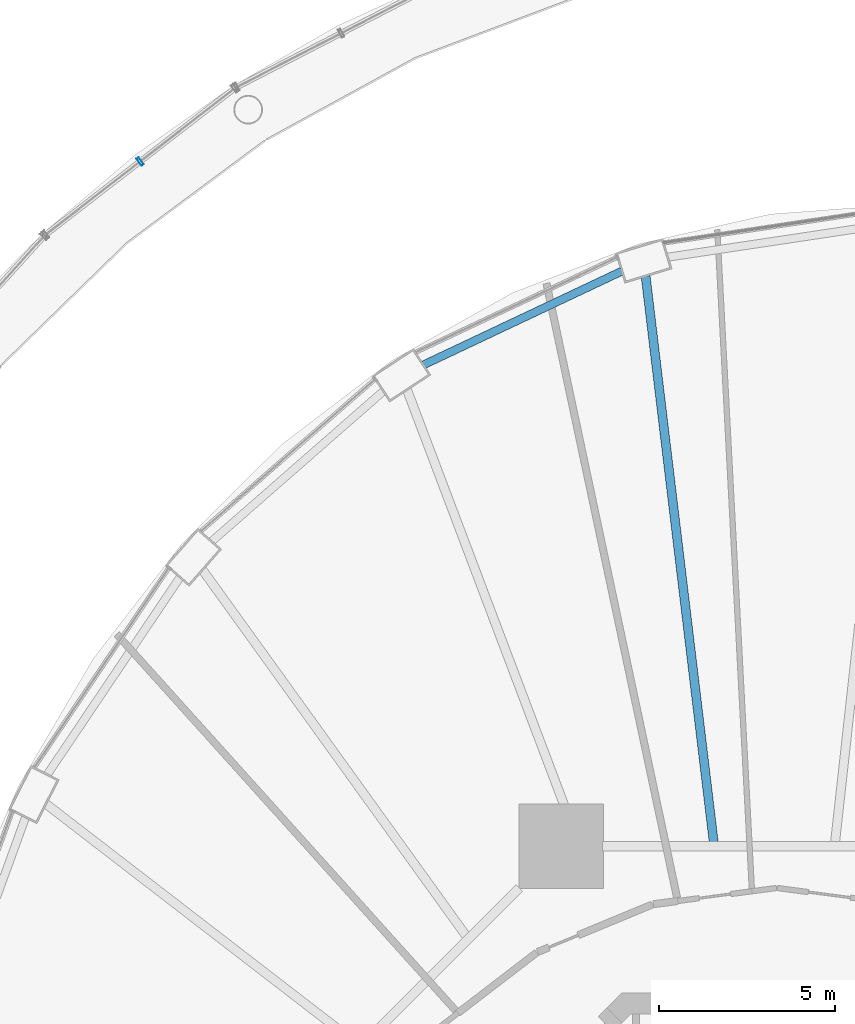
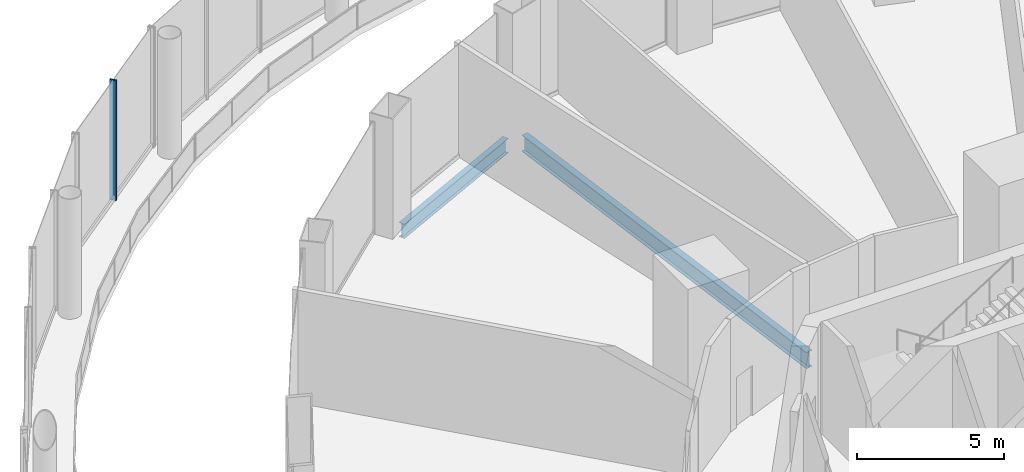
# One storey, part 30 of 48: 2 beams, 1 member, 1 element without a shape of its own.
"""IFC4 building model written with IfcOpenShell, lengths in metres."""

from ifc_helpers import new_model, si_unit, direction, frame, origin, origin_2d, place, context, subcontext, project, spatial, hollow_rectangle, i_section, extrude, material, layer, layer_set, material_profile, profile_set, type_object, element, aggregate, save


model = new_model("IFC4")

# Units and contexts
model_context = context("Model", 3, precision=1e-05, world=origin(), true_north=direction((0.0, 1.0)))
body_context = subcontext(model_context, "Body", "Model", "MODEL_VIEW")
ifc_project = project(units=[si_unit("LENGTHUNIT", "METRE"), si_unit("AREAUNIT", "SQUARE_METRE"), si_unit("VOLUMEUNIT", "CUBIC_METRE"), si_unit("PLANEANGLEUNIT", "RADIAN"), si_unit("MASSUNIT", "GRAM", prefix="KILO")], contexts=[model_context])

# Site, building, storey
site_placement = place(None, origin())
site = spatial("IfcSite", under=ifc_project, at=site_placement, CompositionType="ELEMENT")
building_placement = place(site_placement, origin())
building = spatial("IfcBuilding", under=site, at=building_placement, Name="Nagisa Residences", CompositionType="ELEMENT")
storey_placement = place(building_placement, frame((0.0, 0.0, 12.0)))
storey = spatial("IfcBuildingStorey", under=building, at=storey_placement, Name="L02", CompositionType="ELEMENT", Elevation=12.0)

# Curtain wall, member
ifc_material_1 = material(Name="Stainless steel curtain wall system", Category="steel")
ifc_layer = layer(ifc_material_1, 0.159912109375)
ifc_layer_set = layer_set([ifc_layer], Name="CW3 CURTAIN WALL")
curtain_wall_type = type_object("IfcCurtainWallType", Name="CW3 CURTAIN WALL", PredefinedType="NOTDEFINED", material=ifc_layer_set)
curtain_wall_placement = place(storey_placement, origin())
curtain_wall = element("IfcCurtainWall", 1, at=curtain_wall_placement, inside=storey, type_object=curtain_wall_type, Name="cw:CW3:L02:12", PredefinedType="NOTDEFINED")
ifc_material_2 = material(Name="Stainless steel", Category="steel")
ifc_material_profile_1 = material_profile(ifc_material_2, hollow_rectangle(XDim=0.25, YDim=0.080078125, WallThickness=0.008056640625, at=origin_2d()), Name="CW3 MULLION 250x80")
ifc_profile_set_1 = profile_set([ifc_material_profile_1], Name="Stainless steel")
member_type = type_object("IfcMemberType", Name="CW3 MULLION 250x80", PredefinedType="MULLION", material=ifc_profile_set_1)
member_placement = place(storey_placement, frame((-18.06396484375, 34.210205078125, 0.0), z_axis=(0.0, 0.0, 1.0), x_axis=(0.612034757172, -0.790830864353, 0.0)))
member = element("IfcMember", 2, at=member_placement, type_object=member_type, Name="CW3 mullion", PredefinedType="MULLION", context=body_context, shape_type="SweptSolid", body=[
    extrude(hollow_rectangle(XDim=0.25, YDim=0.080078125, WallThickness=0.008056640625, at=origin_2d()), origin(), (0.0, 0.0, 1.0), 5.0),
])
aggregate(curtain_wall, [member])

# Beams
ifc_material_3 = material(Name="Steel ASTM A572 Gr 50", Category="steel")
ifc_material_profile_2 = material_profile(ifc_material_3, i_section(OverallWidth=0.22802734375, OverallDepth=0.60302734375, WebThickness=0.010498046875, FlangeThickness=0.014892578125, at=origin_2d()), Name="W610x101")
ifc_profile_set_2 = profile_set([ifc_material_profile_2], Name="Steel ASTM A572 Gr 50")
beam_type_1 = type_object("IfcBeamType", Name="Perimeter ring beam W610x101", PredefinedType="BEAM", material=ifc_profile_set_2)
beam_1_placement = place(storey_placement, frame((-4.39794921875, 31.098876953125, -0.6015625), z_axis=(-0.904208275867, -0.427091786216, 0.0), x_axis=(0.427091786216, -0.904208275867, 0.0)))
element("IfcBeam", 3, at=beam_1_placement, inside=storey, type_object=beam_type_1, Name="beam:L02:pb08", PredefinedType="BEAM", context=body_context, shape_type="SweptSolid", body=[
    extrude(i_section(OverallWidth=0.22802734375, OverallDepth=0.60302734375, WebThickness=0.010498046875, FlangeThickness=0.014892578125, at=origin_2d()), origin(), (0.0, 0.0, 1.0), 6.227294921875),
])
ifc_material_4 = material(Name="Steel ASTM A572 Gr 50", Category="steel")
ifc_material_profile_3 = material_profile(ifc_material_4, i_section(OverallWidth=0.25390625, OverallDepth=0.68408203125, WebThickness=0.012451171875, FlangeThickness=0.018798828125, at=origin_2d()), Name="W690x140")
ifc_profile_set_3 = profile_set([ifc_material_profile_3], Name="Steel ASTM A572 Gr 50")
beam_type_2 = type_object("IfcBeamType", Name="Radial beam W690x140", PredefinedType="BEAM", material=ifc_profile_set_3)
beam_2_placement = place(storey_placement, frame((-3.72412109375, 30.958740234375, -0.64208984375), z_axis=(0.119431411612, -0.992842453726, 0.0), x_axis=(0.992842453726, 0.119431411612, 0.0)))
element("IfcBeam", 4, at=beam_2_placement, inside=storey, type_object=beam_type_2, Name="beam:L02:rb08", PredefinedType="BEAM", context=body_context, shape_type="SweptSolid", body=[
    extrude(i_section(OverallWidth=0.25390625, OverallDepth=0.68408203125, WebThickness=0.012451171875, FlangeThickness=0.018798828125, at=origin_2d()), origin(), (0.0, 0.0, 1.0), 16.1796875),
])

save(model, "model.ifc")
